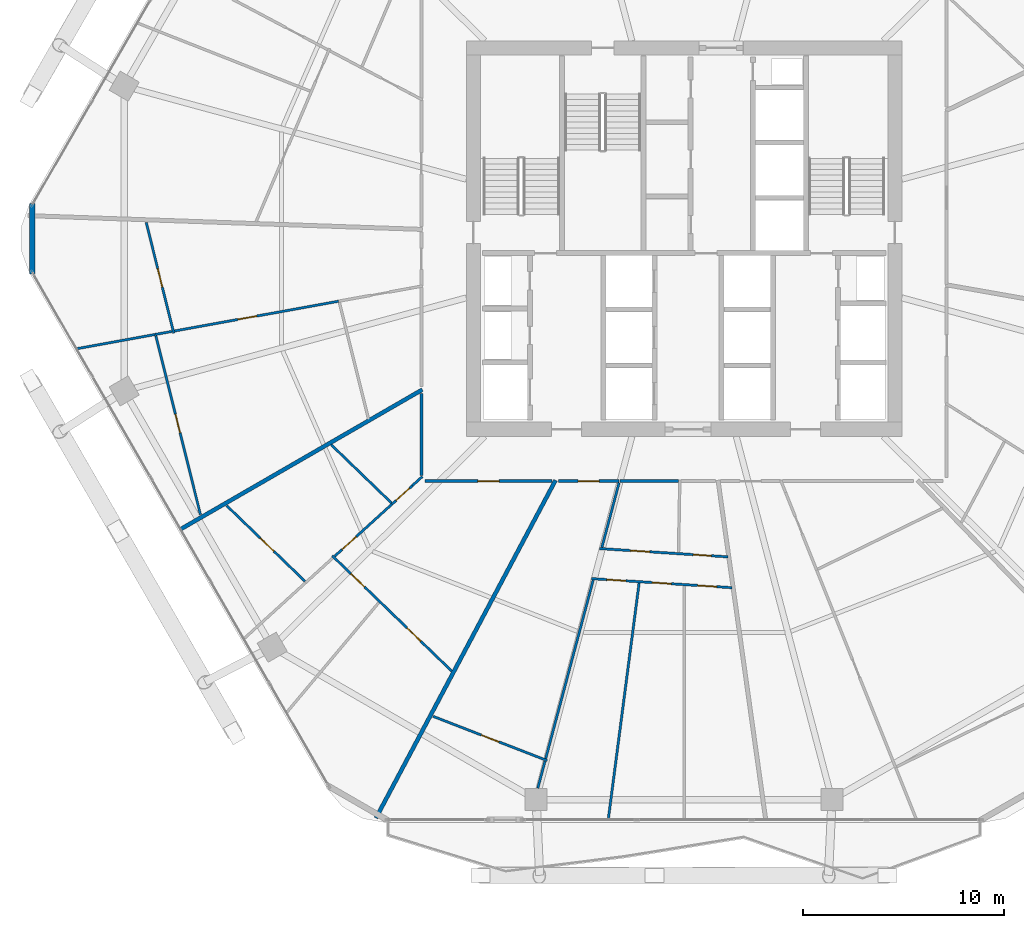
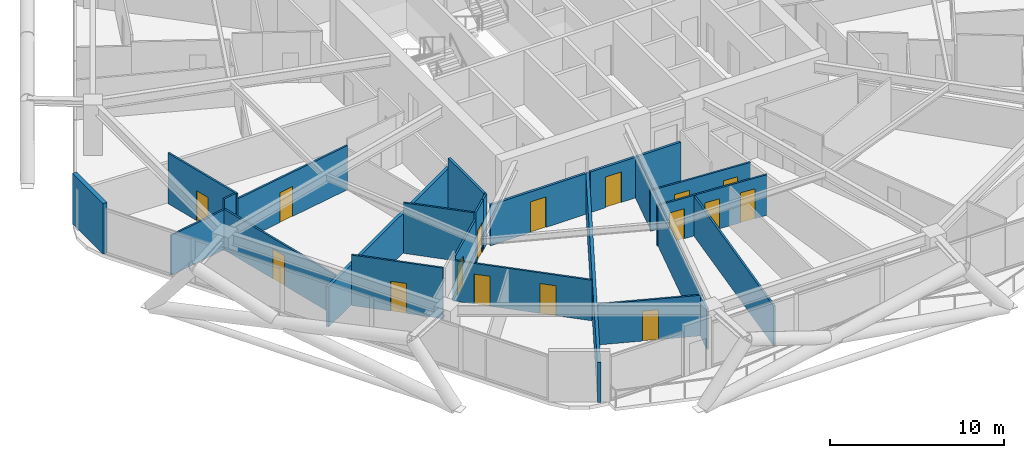
# One storey, part 27 of 35: 25 walls, 16 doors, 16 openings.
"""IFC4 building model written with IfcOpenShell, lengths in metres."""

from ifc_helpers import new_model, si_unit, direction, frame, frame_2d, origin, place, context, subcontext, project, spatial, rectangle, extrude, material, layer, layer_set, type_object, element, fill, save


model = new_model("IFC4")

# Units and contexts
model_context = context("Model", 3, precision=1e-05, world=origin(), true_north=direction((0.0, 1.0)))
body_context = subcontext(model_context, "Body", "Model", "MODEL_VIEW")
ifc_project = project(units=[si_unit("LENGTHUNIT", "METRE"), si_unit("AREAUNIT", "SQUARE_METRE"), si_unit("VOLUMEUNIT", "CUBIC_METRE"), si_unit("PLANEANGLEUNIT", "RADIAN"), si_unit("MASSUNIT", "GRAM", prefix="KILO")], contexts=[model_context])

# Site, building, storey
site_placement = place(None, origin())
site = spatial("IfcSite", under=ifc_project, at=site_placement, CompositionType="ELEMENT")
building_placement = place(site_placement, origin())
building = spatial("IfcBuilding", under=site, at=building_placement, Name="Zuhravey Tower", CompositionType="ELEMENT")
storey_placement = place(building_placement, frame((0.0, 0.0, 138.0)))
storey = spatial("IfcBuildingStorey", under=building, at=storey_placement, Name="L34", CompositionType="ELEMENT", Elevation=138.0)

# Wall, opening, door
ifc_material_1 = material(Name="Gypsum fire-rated stud partition")
ifc_layer_1 = layer(ifc_material_1, 0.159912109375)
ifc_layer_set_1 = layer_set([ifc_layer_1], Name="Gypsum fire-rated stud partition")
wall_type_1 = type_object("IfcWallType", Name="Corridor Fire Partition 160", PredefinedType="PARTITIONING", material=ifc_layer_set_1)
wall_1_placement = place(storey_placement, frame((23.10009765625, 19.919921875, 0.0), z_axis=(0.0, 0.0, 1.0), x_axis=(1.0, 0.0, 0.0)))
wall_1 = element("IfcWall", 1, at=wall_1_placement, inside=storey, type_object=wall_type_1, Name="L34 IW16 Partition 050", PredefinedType="PARTITIONING", context=body_context, shape_type="SweptSolid", body=[
    extrude(rectangle(XDim=6.318115234375, YDim=0.159912109375, at=frame_2d((3.1591796875, 0.0))), origin(), (0.0, 0.0, 1.0), 2.85009765625),
])
opening_1_placement = place(wall_1_placement, frame((2.634033203125, 0.0, 0.0)))
opening_1 = element("IfcOpeningElement", 2, at=opening_1_placement, cuts=wall_1, Name="Opening APD1", PredefinedType="OPENING", context=body_context, shape_type="SweptSolid", body=[
    extrude(rectangle(XDim=1.050048828125, YDim=2.14990234375, at=frame_2d((0.52490234375, 1.074951171875))), frame((0.0, 0.092041015625, 0.0), z_axis=(0.0, -1.0, 0.0), x_axis=(1.0, 0.0, 0.0)), (0.0, 0.0, 1.0), 0.183837890625),
])
ifc_material_2 = material(Name="Solid-core oak fire-rated leaf")
door_type_1 = type_object("IfcDoorType", Name="Apartment Entrance Fire Door 1050x2150", OperationType="NOTDEFINED", PredefinedType="DOOR", material=ifc_material_2)
door_1_placement = place(opening_1_placement, frame((1.050048828125, 0.0, 0.0), z_axis=(0.0, 0.0, 1.0), x_axis=(-1.0, 0.0, 0.0)))
door_1 = element("IfcDoor", 3, at=door_1_placement, inside=storey, type_object=door_type_1, Name="L34 Door 050.1", OperationType="SINGLE_SWING_LEFT", OverallHeight=2.14990234375, OverallWidth=1.050048828125, PredefinedType="DOOR", context=body_context, shape_type="SweptSolid", body=[
    extrude(rectangle(XDim=1.050048828125, YDim=2.14990234375, at=frame_2d((0.52490234375, 1.074951171875))), frame((0.0, 0.02490234375, 0.0), z_axis=(0.0, -1.0, 0.0), x_axis=(1.0, 0.0, 0.0)), (0.0, 0.0, 1.0), 0.050048828125),
])
fill(opening_1, door_1)

wall_2_placement = place(storey_placement, frame((29.734130859375, 19.919921875, 0.0), z_axis=(0.0, 0.0, 1.0), x_axis=(1.0, 0.0, 0.0)))
wall_2 = element("IfcWall", 4, at=wall_2_placement, inside=storey, type_object=wall_type_1, Name="L34 IW16 Partition 054", PredefinedType="PARTITIONING", context=body_context, shape_type="SweptSolid", body=[
    extrude(rectangle(XDim=3.031005859375, YDim=0.159912109375, at=frame_2d((1.515625, 0.0))), origin(), (0.0, 0.0, 1.0), 2.85009765625),
])
opening_2_placement = place(wall_2_placement, frame((0.990478515625, 0.0, 0.0)))
opening_2 = element("IfcOpeningElement", 5, at=opening_2_placement, cuts=wall_2, Name="Opening APD1", PredefinedType="OPENING", context=body_context, shape_type="SweptSolid", body=[
    extrude(rectangle(XDim=1.050048828125, YDim=2.14990234375, at=frame_2d((0.52490234375, 1.074951171875))), frame((0.0, 0.092041015625, 0.0), z_axis=(0.0, -1.0, 0.0), x_axis=(1.0, 0.0, 0.0)), (0.0, 0.0, 1.0), 0.183837890625),
])
door_2_placement = place(opening_2_placement, frame((1.050048828125, 0.0, 0.0), z_axis=(0.0, 0.0, 1.0), x_axis=(-1.0, 0.0, 0.0)))
door_2 = element("IfcDoor", 6, at=door_2_placement, inside=storey, type_object=door_type_1, Name="L34 Door 054.1", OperationType="SINGLE_SWING_RIGHT", OverallHeight=2.14990234375, OverallWidth=1.050048828125, PredefinedType="DOOR", context=body_context, shape_type="SweptSolid", body=[
    extrude(rectangle(XDim=1.050048828125, YDim=2.14990234375, at=frame_2d((0.52490234375, 1.074951171875))), frame((0.0, 0.02490234375, 0.0), z_axis=(0.0, -1.0, 0.0), x_axis=(1.0, 0.0, 0.0)), (0.0, 0.0, 1.0), 0.050048828125),
])
fill(opening_2, door_2)

# Walls
wall_3_placement = place(storey_placement, frame((22.919921875, 24.272216796875, 0.0), z_axis=(0.0, 0.0, 1.0), x_axis=(0.0, -1.0, 0.0)))
element("IfcWall", 7, at=wall_3_placement, inside=storey, type_object=wall_type_1, Name="L34 IW16 Partition 127", PredefinedType="PARTITIONING", context=body_context, shape_type="SweptSolid", body=[
    extrude(rectangle(XDim=4.0751953125, YDim=0.159912109375, at=frame_2d((2.03759765625, 0.0))), origin(), (0.0, 0.0, 1.0), 3.550048828125),
])
wall_4_placement = place(storey_placement, frame((32.806396484375, 19.919921875, 0.0), z_axis=(0.0, 0.0, 1.0), x_axis=(1.0, 0.0, 0.0)))
element("IfcWall", 8, at=wall_4_placement, inside=storey, type_object=wall_type_1, Name="L34 IW16 Partition 128", PredefinedType="PARTITIONING", context=body_context, shape_type="SweptSolid", body=[
    extrude(rectangle(XDim=2.912109375, YDim=0.159912109375, at=frame_2d((1.4560546875, 0.0))), origin(), (0.0, 0.0, 1.0), 2.85009765625),
])
ifc_material_3 = material(Name="Precast concrete C40/50", Category="concrete")
ifc_layer_2 = layer(ifc_material_3, 0.280029296875)
ifc_layer_set_2 = layer_set([ifc_layer_2], Name="Precast concrete C40/50")
wall_type_2 = type_object("IfcWallType", Name="Crown Architectural Wall 280", PredefinedType="SOLIDWALL", material=ifc_layer_set_2)
wall_5_placement = place(storey_placement, frame((3.521484375, 30.242431640625, 0.0), z_axis=(0.0, 0.0, 1.0), x_axis=(0.0, 1.0, 0.0)))
element("IfcWall", 9, at=wall_5_placement, inside=storey, type_object=wall_type_2, Name="L34 Rounded Corner Closure Wall EW28-06", PredefinedType="SOLIDWALL", context=body_context, shape_type="SweptSolid", body=[
    extrude(rectangle(XDim=3.51513671875, YDim=0.280029296875, at=frame_2d((1.757568359375, 0.0))), origin(), (0.0, 0.0, 1.0), 3.550048828125),
])
ifc_material_4 = material(Name="Gypsum double-stud party assembly")
ifc_layer_3 = layer(ifc_material_4, 0.199951171875)
ifc_layer_set_3 = layer_set([ifc_layer_3], Name="Gypsum double-stud party assembly")
wall_type_3 = type_object("IfcWallType", Name="Inter-Tenancy Party Wall 200", PredefinedType="PARTITIONING", material=ifc_layer_set_3)
wall_6_placement = place(storey_placement, frame((22.9599609375, 24.471435546875, 0.0), z_axis=(0.0, 0.0, 1.0), x_axis=(-0.866023267778, -0.500003699654, 0.0)))
element("IfcWall", 10, at=wall_6_placement, inside=storey, type_object=wall_type_3, Name="L34 IW20 Partition 098", PredefinedType="PARTITIONING", context=body_context, shape_type="SweptSolid", body=[
    extrude(rectangle(XDim=13.9013671875, YDim=0.199951171875, at=frame_2d((6.95068359375, 0.0))), origin(), (0.0, 0.0, 1.0), 2.800048828125),
])
wall_7_placement = place(storey_placement, frame((29.59814453125, 19.9599609375, 0.0), z_axis=(0.0, 0.0, 1.0), x_axis=(-0.469467427619, -0.882949791554, 0.0)))
element("IfcWall", 11, at=wall_7_placement, inside=storey, type_object=wall_type_3, Name="L34 IW20 Partition 103", PredefinedType="PARTITIONING", context=body_context, shape_type="SweptSolid", body=[
    extrude(rectangle(XDim=19.056884765625, YDim=0.199951171875, at=frame_2d((9.5283203125, 0.0))), origin(), (0.0, 0.0, 1.0), 2.800048828125),
])

# Wall, opening, door
ifc_material_5 = material(Name="Gypsum metal-stud partition")
ifc_layer_4 = layer(ifc_material_5, 0.1201171875)
ifc_layer_set_4 = layer_set([ifc_layer_4], Name="Gypsum metal-stud partition")
wall_type_4 = type_object("IfcWallType", Name="Unit Internal Partition 120", PredefinedType="PARTITIONING", material=ifc_layer_set_4)
wall_8_placement = place(storey_placement, frame((9.20654296875, 32.801513671875, 0.0), z_axis=(0.0, 0.0, 1.0), x_axis=(0.241898664781, -0.970301518074, 0.0)))
wall_8 = element("IfcWall", 12, at=wall_8_placement, inside=storey, type_object=wall_type_4, Name="L34 IW12 Partition 039", PredefinedType="PARTITIONING", context=body_context, shape_type="SweptSolid", body=[
    extrude(rectangle(XDim=5.68212890625, YDim=0.1201171875, at=frame_2d((2.841064453125, 0.0))), origin(), (0.0, 0.0, 1.0), 3.550048828125),
])
opening_3_placement = place(wall_8_placement, frame((2.3662109375, 0.0, 0.0)))
opening_3 = element("IfcOpeningElement", 13, at=opening_3_placement, cuts=wall_8, Name="Opening IND1", PredefinedType="OPENING", context=body_context, shape_type="SweptSolid", body=[
    extrude(rectangle(XDim=0.949951171875, YDim=2.10009765625, at=frame_2d((0.47509765625, 1.050048828125))), frame((0.0, 0.072021484375, 0.0), z_axis=(0.0, -1.0, 0.0), x_axis=(1.0, 0.0, 0.0)), (0.0, 0.0, 1.0), 0.14404296875),
])
ifc_material_6 = material(Name="Painted engineered timber leaf", Category="wood")
door_type_2 = type_object("IfcDoorType", Name="Internal Room & Bedroom Door 950x2100", OperationType="NOTDEFINED", PredefinedType="DOOR", material=ifc_material_6)
door_3_placement = place(opening_3_placement, frame((0.949951171875, 0.0, 0.0), z_axis=(0.0, 0.0, 1.0), x_axis=(-1.0, 0.0, 0.0)))
door_3 = element("IfcDoor", 14, at=door_3_placement, inside=storey, type_object=door_type_2, Name="Apartment L34-05 Family Study Door", OperationType="SINGLE_SWING_LEFT", OverallHeight=2.10009765625, OverallWidth=0.949951171875, PredefinedType="DOOR", context=body_context, shape_type="SweptSolid", body=[
    extrude(rectangle(XDim=0.949951171875, YDim=2.10009765625, at=frame_2d((0.47509765625, 1.050048828125))), frame((0.0, 0.02490234375, 0.0), z_axis=(0.0, -1.0, 0.0), x_axis=(1.0, 0.0, 0.0)), (0.0, 0.0, 1.0), 0.050048828125),
])
fill(opening_3, door_3)

wall_9_placement = place(storey_placement, frame((18.790283203125, 28.878662109375, 0.0), z_axis=(0.0, 0.0, 1.0), x_axis=(-0.983946535099, -0.17846348665, 0.0)))
wall_9 = element("IfcWall", 15, at=wall_9_placement, inside=storey, type_object=wall_type_4, Name="L34 IW12 Partition 041", PredefinedType="PARTITIONING", context=body_context, shape_type="SweptSolid", body=[
    extrude(rectangle(XDim=8.2998046875, YDim=0.1201171875, at=frame_2d((4.14990234375, 0.0))), origin(), (0.0, 0.0, 1.0), 3.10009765625),
])
opening_4_placement = place(wall_9_placement, frame((4.146484375, 0.0, 0.0)))
opening_4 = element("IfcOpeningElement", 16, at=opening_4_placement, cuts=wall_9, Name="Opening IND1", PredefinedType="OPENING", context=body_context, shape_type="SweptSolid", body=[
    extrude(rectangle(XDim=0.949951171875, YDim=2.10009765625, at=frame_2d((0.47509765625, 1.050048828125))), frame((0.0, 0.072021484375, 0.0), z_axis=(0.0, -1.0, 0.0), x_axis=(1.0, 0.0, 0.0)), (0.0, 0.0, 1.0), 0.14404296875),
])
door_4_placement = place(opening_4_placement, origin())
door_4 = element("IfcDoor", 17, at=door_4_placement, inside=storey, type_object=door_type_2, Name="Apartment L34-05 Home Office Door", OperationType="SINGLE_SWING_LEFT", OverallHeight=2.10009765625, OverallWidth=0.949951171875, PredefinedType="DOOR", context=body_context, shape_type="SweptSolid", body=[
    extrude(rectangle(XDim=0.949951171875, YDim=2.10009765625, at=frame_2d((0.47509765625, 1.050048828125))), frame((0.0, 0.02490234375, 0.0), z_axis=(0.0, -1.0, 0.0), x_axis=(1.0, 0.0, 0.0)), (0.0, 0.0, 1.0), 0.050048828125),
])
fill(opening_4, door_4)

# Wall
wall_10_placement = place(storey_placement, frame((10.48974609375, 27.373291015625, 0.0), z_axis=(0.0, 0.0, 1.0), x_axis=(-0.983920007509, -0.178609682892, 0.0)))
element("IfcWall", 18, at=wall_10_placement, inside=storey, type_object=wall_type_4, Name="L34 IW12 Partition 042", PredefinedType="PARTITIONING", context=body_context, shape_type="SweptSolid", body=[
    extrude(rectangle(XDim=0.85693359375, YDim=0.1201171875, at=frame_2d((0.428466796875, 0.0))), origin(), (0.0, 0.0, 1.0), 3.550048828125),
])

# Wall, opening, door
wall_11_placement = place(storey_placement, frame((9.6875, 27.158447265625, 0.0), z_axis=(0.0, 0.0, 1.0), x_axis=(0.241915844313, -0.970297235011, 0.0)))
wall_11 = element("IfcWall", 19, at=wall_11_placement, inside=storey, type_object=wall_type_4, Name="L34 IW12 Partition 043", PredefinedType="PARTITIONING", context=body_context, shape_type="SweptSolid", body=[
    extrude(rectangle(XDim=9.176513671875, YDim=0.1201171875, at=frame_2d((4.58837890625, 0.0))), origin(), (0.0, 0.0, 1.0), 2.85009765625),
])
opening_5_placement = place(wall_11_placement, frame((4.029296875, 0.0, 0.0)))
opening_5 = element("IfcOpeningElement", 20, at=opening_5_placement, cuts=wall_11, Name="Opening IND1", PredefinedType="OPENING", context=body_context, shape_type="SweptSolid", body=[
    extrude(rectangle(XDim=0.949951171875, YDim=2.10009765625, at=frame_2d((0.47509765625, 1.050048828125))), frame((0.0, 0.072021484375, 0.0), z_axis=(0.0, -1.0, 0.0), x_axis=(1.0, 0.0, 0.0)), (0.0, 0.0, 1.0), 0.14404296875),
])
door_5_placement = place(opening_5_placement, frame((0.949951171875, 0.0, 0.0), z_axis=(0.0, 0.0, 1.0), x_axis=(-1.0, 0.0, 0.0)))
door_5 = element("IfcDoor", 21, at=door_5_placement, inside=storey, type_object=door_type_2, Name="Apartment L34-05 Bedroom 1 Door", OperationType="SINGLE_SWING_RIGHT", OverallHeight=2.10009765625, OverallWidth=0.949951171875, PredefinedType="DOOR", context=body_context, shape_type="SweptSolid", body=[
    extrude(rectangle(XDim=0.949951171875, YDim=2.10009765625, at=frame_2d((0.47509765625, 1.050048828125))), frame((0.0, 0.02490234375, 0.0), z_axis=(0.0, -1.0, 0.0), x_axis=(1.0, 0.0, 0.0)), (0.0, 0.0, 1.0), 0.050048828125),
])
fill(opening_5, door_5)

# Wall, openings, doors
wall_12_placement = place(storey_placement, frame((18.47509765625, 16.199951171875, 0.0), z_axis=(0.0, 0.0, 1.0), x_axis=(0.719335270824, -0.694663060878, 0.0)))
wall_12 = element("IfcWall", 22, at=wall_12_placement, inside=storey, type_object=wall_type_4, Name="L34 IW12 Partition 045", PredefinedType="PARTITIONING", context=body_context, shape_type="SweptSolid", body=[
    extrude(rectangle(XDim=8.2626953125, YDim=0.1201171875, at=frame_2d((4.13134765625, 0.0))), origin(), (0.0, 0.0, 1.0), 2.85009765625),
])
opening_6_placement = place(wall_12_placement, frame((1.28759765625, 0.0, 0.0)))
opening_6 = element("IfcOpeningElement", 23, at=opening_6_placement, cuts=wall_12, Name="Opening IND1", PredefinedType="OPENING", context=body_context, shape_type="SweptSolid", body=[
    extrude(rectangle(XDim=0.949951171875, YDim=2.10009765625, at=frame_2d((0.47509765625, 1.050048828125))), frame((0.0, 0.072021484375, 0.0), z_axis=(0.0, -1.0, 0.0), x_axis=(1.0, 0.0, 0.0)), (0.0, 0.0, 1.0), 0.14404296875),
])
opening_7_placement = place(wall_12_placement, frame((5.1787109375, 0.0, 0.0)))
opening_7 = element("IfcOpeningElement", 24, at=opening_7_placement, cuts=wall_12, Name="Opening IND1", PredefinedType="OPENING", context=body_context, shape_type="SweptSolid", body=[
    extrude(rectangle(XDim=0.949951171875, YDim=2.10009765625, at=frame_2d((0.47509765625, 1.050048828125))), frame((0.0, 0.072021484375, 0.0), z_axis=(0.0, -1.0, 0.0), x_axis=(1.0, 0.0, 0.0)), (0.0, 0.0, 1.0), 0.14404296875),
])
door_6_placement = place(opening_6_placement, frame((0.949951171875, 0.0, 0.0), z_axis=(0.0, 0.0, 1.0), x_axis=(-1.0, 0.0, 0.0)))
door_6 = element("IfcDoor", 25, at=door_6_placement, inside=storey, type_object=door_type_2, Name="Apartment L34-06 Family Study Door", OperationType="SINGLE_SWING_RIGHT", OverallHeight=2.10009765625, OverallWidth=0.949951171875, PredefinedType="DOOR", context=body_context, shape_type="SweptSolid", body=[
    extrude(rectangle(XDim=0.949951171875, YDim=2.10009765625, at=frame_2d((0.47509765625, 1.050048828125))), frame((0.0, 0.02490234375, 0.0), z_axis=(0.0, -1.0, 0.0), x_axis=(1.0, 0.0, 0.0)), (0.0, 0.0, 1.0), 0.050048828125),
])
fill(opening_6, door_6)
door_7_placement = place(opening_7_placement, frame((0.949951171875, 0.0, 0.0), z_axis=(0.0, 0.0, 1.0), x_axis=(-1.0, 0.0, 0.0)))
door_7 = element("IfcDoor", 26, at=door_7_placement, inside=storey, type_object=door_type_2, Name="Apartment L34-06 Dining Room Door", OperationType="SINGLE_SWING_LEFT", OverallHeight=2.10009765625, OverallWidth=0.949951171875, PredefinedType="DOOR", context=body_context, shape_type="SweptSolid", body=[
    extrude(rectangle(XDim=0.949951171875, YDim=2.10009765625, at=frame_2d((0.47509765625, 1.050048828125))), frame((0.0, 0.02490234375, 0.0), z_axis=(0.0, -1.0, 0.0), x_axis=(1.0, 0.0, 0.0)), (0.0, 0.0, 1.0), 0.050048828125),
])
fill(opening_7, door_7)

# Wall, opening, door
wall_13_placement = place(storey_placement, frame((22.46875, 19.696044921875, 0.0), z_axis=(0.0, 0.0, 1.0), x_axis=(-0.739835725611, -0.672787558677, 0.0)))
wall_13 = element("IfcWall", 27, at=wall_13_placement, inside=storey, type_object=wall_type_4, Name="L34 IW12 Partition 046", PredefinedType="PARTITIONING", context=body_context, shape_type="SweptSolid", body=[
    extrude(rectangle(XDim=1.37646484375, YDim=0.1201171875, at=frame_2d((0.688232421875, 0.0))), origin(), (0.0, 0.0, 1.0), 3.550048828125),
])
opening_8_placement = place(wall_13_placement, frame((0.199951171875, 0.0, 0.0)))
opening_8 = element("IfcOpeningElement", 28, at=opening_8_placement, cuts=wall_13, Name="Opening WCD1", PredefinedType="OPENING", context=body_context, shape_type="SweptSolid", body=[
    extrude(rectangle(XDim=0.89990234375, YDim=2.10009765625, at=frame_2d((0.449951171875, 1.050048828125))), frame((0.0, 0.072021484375, 0.0), z_axis=(0.0, -1.0, 0.0), x_axis=(1.0, 0.0, 0.0)), (0.0, 0.0, 1.0), 0.14404296875),
])
ifc_material_7 = material(Name="Moisture-resistant timber leaf", Category="wood")
door_type_3 = type_object("IfcDoorType", Name="Bathroom & WC Internal Door 900x2100", OperationType="NOTDEFINED", PredefinedType="DOOR", material=ifc_material_7)
door_8_placement = place(opening_8_placement, frame((0.89990234375, 0.0, 0.0), z_axis=(0.0, 0.0, 1.0), x_axis=(-1.0, 0.0, 0.0)))
door_8 = element("IfcDoor", 29, at=door_8_placement, inside=storey, type_object=door_type_3, Name="Apartment L34-06 Bathroom Door", OperationType="SINGLE_SWING_RIGHT", OverallHeight=2.10009765625, OverallWidth=0.89990234375, PredefinedType="DOOR", context=body_context, shape_type="SweptSolid", body=[
    extrude(rectangle(XDim=0.89990234375, YDim=2.10009765625, at=frame_2d((0.449951171875, 1.050048828125))), frame((0.0, 0.02490234375, 0.0), z_axis=(0.0, -1.0, 0.0), x_axis=(1.0, 0.0, 0.0)), (0.0, 0.0, 1.0), 0.050048828125),
])
fill(opening_8, door_8)

wall_14_placement = place(storey_placement, frame((21.450439453125, 18.77001953125, 0.0), z_axis=(0.0, 0.0, 1.0), x_axis=(-0.739899959551, -0.672716916583, 0.0)))
wall_14 = element("IfcWall", 30, at=wall_14_placement, inside=storey, type_object=wall_type_4, Name="L34 IW12 Partition 047", PredefinedType="PARTITIONING", context=body_context, shape_type="SweptSolid", body=[
    extrude(rectangle(XDim=3.855712890625, YDim=0.1201171875, at=frame_2d((1.927734375, 0.0))), origin(), (0.0, 0.0, 1.0), 3.10009765625),
])
opening_9_placement = place(wall_14_placement, frame((2.40576171875, 0.0, 0.0)))
opening_9 = element("IfcOpeningElement", 31, at=opening_9_placement, cuts=wall_14, Name="Opening IND1", PredefinedType="OPENING", context=body_context, shape_type="SweptSolid", body=[
    extrude(rectangle(XDim=0.949951171875, YDim=2.10009765625, at=frame_2d((0.47509765625, 1.050048828125))), frame((0.0, 0.072021484375, 0.0), z_axis=(0.0, -1.0, 0.0), x_axis=(1.0, 0.0, 0.0)), (0.0, 0.0, 1.0), 0.14404296875),
])
door_9_placement = place(opening_9_placement, frame((0.949951171875, 0.0, 0.0), z_axis=(0.0, 0.0, 1.0), x_axis=(-1.0, 0.0, 0.0)))
door_9 = element("IfcDoor", 32, at=door_9_placement, inside=storey, type_object=door_type_2, Name="Apartment L34-06 Home Office Door", OperationType="SINGLE_SWING_LEFT", OverallHeight=2.10009765625, OverallWidth=0.949951171875, PredefinedType="DOOR", context=body_context, shape_type="SweptSolid", body=[
    extrude(rectangle(XDim=0.949951171875, YDim=2.10009765625, at=frame_2d((0.47509765625, 1.050048828125))), frame((0.0, 0.02490234375, 0.0), z_axis=(0.0, -1.0, 0.0), x_axis=(1.0, 0.0, 0.0)), (0.0, 0.0, 1.0), 0.050048828125),
])
fill(opening_9, door_9)

wall_15_placement = place(storey_placement, frame((13.2158203125, 18.695068359375, 0.0), z_axis=(0.0, 0.0, 1.0), x_axis=(0.71932395173, -0.694674781799, 0.0)))
wall_15 = element("IfcWall", 33, at=wall_15_placement, inside=storey, type_object=wall_type_4, Name="L34 IW12 Partition 049", PredefinedType="PARTITIONING", context=body_context, shape_type="SweptSolid", body=[
    extrude(rectangle(XDim=5.427734375, YDim=0.1201171875, at=frame_2d((2.7138671875, 0.0))), origin(), (0.0, 0.0, 1.0), 3.550048828125),
])
opening_10_placement = place(wall_15_placement, frame((2.322998046875, 0.0, 0.0)))
opening_10 = element("IfcOpeningElement", 34, at=opening_10_placement, cuts=wall_15, Name="Opening IND1", PredefinedType="OPENING", context=body_context, shape_type="SweptSolid", body=[
    extrude(rectangle(XDim=0.949951171875, YDim=2.10009765625, at=frame_2d((0.47509765625, 1.050048828125))), frame((0.0, 0.072021484375, 0.0), z_axis=(0.0, -1.0, 0.0), x_axis=(1.0, 0.0, 0.0)), (0.0, 0.0, 1.0), 0.14404296875),
])
door_10_placement = place(opening_10_placement, frame((0.949951171875, 0.0, 0.0), z_axis=(0.0, 0.0, 1.0), x_axis=(-1.0, 0.0, 0.0)))
door_10 = element("IfcDoor", 35, at=door_10_placement, inside=storey, type_object=door_type_2, Name="Apartment L34-06 Bedroom 1 Door", OperationType="SINGLE_SWING_RIGHT", OverallHeight=2.10009765625, OverallWidth=0.949951171875, PredefinedType="DOOR", context=body_context, shape_type="SweptSolid", body=[
    extrude(rectangle(XDim=0.949951171875, YDim=2.10009765625, at=frame_2d((0.47509765625, 1.050048828125))), frame((0.0, 0.02490234375, 0.0), z_axis=(0.0, -1.0, 0.0), x_axis=(1.0, 0.0, 0.0)), (0.0, 0.0, 1.0), 0.050048828125),
])
fill(opening_10, door_10)

wall_16_placement = place(storey_placement, frame((23.49755859375, 8.199462890625, 0.0), z_axis=(0.0, 0.0, 1.0), x_axis=(0.932323578893, -0.361625143262, 0.0)))
wall_16 = element("IfcWall", 36, at=wall_16_placement, inside=storey, type_object=wall_type_4, Name="L34 IW12 Partition 051", PredefinedType="PARTITIONING", context=body_context, shape_type="SweptSolid", body=[
    extrude(rectangle(XDim=6.09912109375, YDim=0.1201171875, at=frame_2d((3.049560546875, 0.0))), origin(), (0.0, 0.0, 1.0), 2.85009765625),
])
opening_11_placement = place(wall_16_placement, frame((2.574462890625, 0.0, 0.0)))
opening_11 = element("IfcOpeningElement", 37, at=opening_11_placement, cuts=wall_16, Name="Opening IND1", PredefinedType="OPENING", context=body_context, shape_type="SweptSolid", body=[
    extrude(rectangle(XDim=0.949951171875, YDim=2.10009765625, at=frame_2d((0.47509765625, 1.050048828125))), frame((0.0, 0.072021484375, 0.0), z_axis=(0.0, -1.0, 0.0), x_axis=(1.0, 0.0, 0.0)), (0.0, 0.0, 1.0), 0.14404296875),
])
door_11_placement = place(opening_11_placement, frame((0.949951171875, 0.0, 0.0), z_axis=(0.0, 0.0, 1.0), x_axis=(-1.0, 0.0, 0.0)))
door_11 = element("IfcDoor", 38, at=door_11_placement, inside=storey, type_object=door_type_2, Name="Apartment L34-07 Family Study Door", OperationType="SINGLE_SWING_RIGHT", OverallHeight=2.10009765625, OverallWidth=0.949951171875, PredefinedType="DOOR", context=body_context, shape_type="SweptSolid", body=[
    extrude(rectangle(XDim=0.949951171875, YDim=2.10009765625, at=frame_2d((0.47509765625, 1.050048828125))), frame((0.0, 0.02490234375, 0.0), z_axis=(0.0, -1.0, 0.0), x_axis=(1.0, 0.0, 0.0)), (0.0, 0.0, 1.0), 0.050048828125),
])
fill(opening_11, door_11)

# Wall, openings, doors
wall_17_placement = place(storey_placement, frame((31.78759765625, 16.55712890625, 0.0), z_axis=(0.0, 0.0, 1.0), x_axis=(0.997916701545, -0.064515554547, 0.0)))
wall_17 = element("IfcWall", 39, at=wall_17_placement, inside=storey, type_object=wall_type_4, Name="L34 IW12 Partition 052", PredefinedType="PARTITIONING", context=body_context, shape_type="SweptSolid", body=[
    extrude(rectangle(XDim=6.414306640625, YDim=0.1201171875, at=frame_2d((3.20703125, 0.0))), origin(), (0.0, 0.0, 1.0), 2.85009765625),
])
opening_12_placement = place(wall_17_placement, frame((1.547607421875, 0.0, 0.0)))
opening_12 = element("IfcOpeningElement", 40, at=opening_12_placement, cuts=wall_17, Name="Opening IND1", PredefinedType="OPENING", context=body_context, shape_type="SweptSolid", body=[
    extrude(rectangle(XDim=0.949951171875, YDim=2.10009765625, at=frame_2d((0.47509765625, 1.050048828125))), frame((0.0, 0.072021484375, 0.0), z_axis=(0.0, -1.0, 0.0), x_axis=(1.0, 0.0, 0.0)), (0.0, 0.0, 1.0), 0.14404296875),
])
opening_13_placement = place(wall_17_placement, frame((4.677734375, 0.0, 0.0)))
opening_13 = element("IfcOpeningElement", 41, at=opening_13_placement, cuts=wall_17, Name="Opening WCD1", PredefinedType="OPENING", context=body_context, shape_type="SweptSolid", body=[
    extrude(rectangle(XDim=0.89990234375, YDim=2.10009765625, at=frame_2d((0.449951171875, 1.050048828125))), frame((0.0, 0.072021484375, 0.0), z_axis=(0.0, -1.0, 0.0), x_axis=(1.0, 0.0, 0.0)), (0.0, 0.0, 1.0), 0.14404296875),
])
door_12_placement = place(opening_13_placement, origin())
door_12 = element("IfcDoor", 42, at=door_12_placement, inside=storey, type_object=door_type_3, Name="Apartment L34-07 Bathroom Door", OperationType="SINGLE_SWING_RIGHT", OverallHeight=2.10009765625, OverallWidth=0.89990234375, PredefinedType="DOOR", context=body_context, shape_type="SweptSolid", body=[
    extrude(rectangle(XDim=0.89990234375, YDim=2.10009765625, at=frame_2d((0.449951171875, 1.050048828125))), frame((0.0, 0.02490234375, 0.0), z_axis=(0.0, -1.0, 0.0), x_axis=(1.0, 0.0, 0.0)), (0.0, 0.0, 1.0), 0.050048828125),
])
fill(opening_13, door_12)
door_13_placement = place(opening_12_placement, origin())
door_13 = element("IfcDoor", 43, at=door_13_placement, inside=storey, type_object=door_type_2, Name="Apartment L34-07 Kitchen Door", OperationType="SINGLE_SWING_LEFT", OverallHeight=2.10009765625, OverallWidth=0.949951171875, PredefinedType="DOOR", context=body_context, shape_type="SweptSolid", body=[
    extrude(rectangle(XDim=0.949951171875, YDim=2.10009765625, at=frame_2d((0.47509765625, 1.050048828125))), frame((0.0, 0.02490234375, 0.0), z_axis=(0.0, -1.0, 0.0), x_axis=(1.0, 0.0, 0.0)), (0.0, 0.0, 1.0), 0.050048828125),
])
fill(opening_12, door_13)

wall_18_placement = place(storey_placement, frame((31.38916015625, 15.059814453125, 0.0), z_axis=(0.0, 0.0, 1.0), x_axis=(0.997916790239, -0.064514182617, 0.0)))
wall_18 = element("IfcWall", 44, at=wall_18_placement, inside=storey, type_object=wall_type_4, Name="L34 IW12 Partition 053", PredefinedType="PARTITIONING", context=body_context, shape_type="SweptSolid", body=[
    extrude(rectangle(XDim=7.01611328125, YDim=0.1201171875, at=frame_2d((3.508056640625, 0.0))), origin(), (0.0, 0.0, 1.0), 2.85009765625),
])
opening_14_placement = place(wall_18_placement, frame((0.767822265625, 0.0, 0.0)))
opening_14 = element("IfcOpeningElement", 45, at=opening_14_placement, cuts=wall_18, Name="Opening IND1", PredefinedType="OPENING", context=body_context, shape_type="SweptSolid", body=[
    extrude(rectangle(XDim=0.949951171875, YDim=2.10009765625, at=frame_2d((0.47509765625, 1.050048828125))), frame((0.0, 0.072021484375, 0.0), z_axis=(0.0, -1.0, 0.0), x_axis=(1.0, 0.0, 0.0)), (0.0, 0.0, 1.0), 0.14404296875),
])
opening_15_placement = place(wall_18_placement, frame((3.033203125, 0.0, 0.0)))
opening_15 = element("IfcOpeningElement", 46, at=opening_15_placement, cuts=wall_18, Name="Opening IND1", PredefinedType="OPENING", context=body_context, shape_type="SweptSolid", body=[
    extrude(rectangle(XDim=0.949951171875, YDim=2.10009765625, at=frame_2d((0.47509765625, 1.050048828125))), frame((0.0, 0.072021484375, 0.0), z_axis=(0.0, -1.0, 0.0), x_axis=(1.0, 0.0, 0.0)), (0.0, 0.0, 1.0), 0.14404296875),
])
opening_16_placement = place(wall_18_placement, frame((5.29833984375, 0.0, 0.0)))
opening_16 = element("IfcOpeningElement", 47, at=opening_16_placement, cuts=wall_18, Name="Opening IND1", PredefinedType="OPENING", context=body_context, shape_type="SweptSolid", body=[
    extrude(rectangle(XDim=0.949951171875, YDim=2.10009765625, at=frame_2d((0.47509765625, 1.050048828125))), frame((0.0, 0.072021484375, 0.0), z_axis=(0.0, -1.0, 0.0), x_axis=(1.0, 0.0, 0.0)), (0.0, 0.0, 1.0), 0.14404296875),
])
door_14_placement = place(opening_14_placement, frame((0.949951171875, 0.0, 0.0), z_axis=(0.0, 0.0, 1.0), x_axis=(-1.0, 0.0, 0.0)))
door_14 = element("IfcDoor", 48, at=door_14_placement, inside=storey, type_object=door_type_2, Name="Apartment L34-07 Bedroom 1 Door", OperationType="SINGLE_SWING_LEFT", OverallHeight=2.10009765625, OverallWidth=0.949951171875, PredefinedType="DOOR", context=body_context, shape_type="SweptSolid", body=[
    extrude(rectangle(XDim=0.949951171875, YDim=2.10009765625, at=frame_2d((0.47509765625, 1.050048828125))), frame((0.0, 0.02490234375, 0.0), z_axis=(0.0, -1.0, 0.0), x_axis=(1.0, 0.0, 0.0)), (0.0, 0.0, 1.0), 0.050048828125),
])
fill(opening_14, door_14)
door_15_placement = place(opening_15_placement, frame((0.949951171875, 0.0, 0.0), z_axis=(0.0, 0.0, 1.0), x_axis=(-1.0, 0.0, 0.0)))
door_15 = element("IfcDoor", 49, at=door_15_placement, inside=storey, type_object=door_type_2, Name="Apartment L34-07 Bedroom 2 Door", OperationType="SINGLE_SWING_RIGHT", OverallHeight=2.10009765625, OverallWidth=0.949951171875, PredefinedType="DOOR", context=body_context, shape_type="SweptSolid", body=[
    extrude(rectangle(XDim=0.949951171875, YDim=2.10009765625, at=frame_2d((0.47509765625, 1.050048828125))), frame((0.0, 0.02490234375, 0.0), z_axis=(0.0, -1.0, 0.0), x_axis=(1.0, 0.0, 0.0)), (0.0, 0.0, 1.0), 0.050048828125),
])
fill(opening_15, door_15)
door_16_placement = place(opening_16_placement, frame((0.949951171875, 0.0, 0.0), z_axis=(0.0, 0.0, 1.0), x_axis=(-1.0, 0.0, 0.0)))
door_16 = element("IfcDoor", 50, at=door_16_placement, inside=storey, type_object=door_type_2, Name="Apartment L34-07 Bedroom 3 Door", OperationType="SINGLE_SWING_LEFT", OverallHeight=2.10009765625, OverallWidth=0.949951171875, PredefinedType="DOOR", context=body_context, shape_type="SweptSolid", body=[
    extrude(rectangle(XDim=0.949951171875, YDim=2.10009765625, at=frame_2d((0.47509765625, 1.050048828125))), frame((0.0, 0.02490234375, 0.0), z_axis=(0.0, -1.0, 0.0), x_axis=(1.0, 0.0, 0.0)), (0.0, 0.0, 1.0), 0.050048828125),
])
fill(opening_16, door_16)

# Walls
wall_19_placement = place(storey_placement, frame((9.646484375, 27.22021484375, 0.0), z_axis=(0.0, 0.0, 1.0), x_axis=(-0.98395121162, -0.178437701036, 0.0)))
element("IfcWall", 51, at=wall_19_placement, inside=storey, type_object=wall_type_4, Name="L34 IW12 Partition 096", PredefinedType="PARTITIONING", context=body_context, shape_type="SweptSolid", body=[
    extrude(rectangle(XDim=3.98291015625, YDim=0.1201171875, at=frame_2d((1.991455078125, 0.0))), origin(), (0.0, 0.0, 1.0), 2.800048828125),
])
wall_20_placement = place(storey_placement, frame((22.965087890625, 20.1474609375, 0.0), z_axis=(0.0, 0.0, 1.0), x_axis=(-0.739791864243, -0.67283578799, 0.0)))
element("IfcWall", 52, at=wall_20_placement, inside=storey, type_object=wall_type_4, Name="L34 IW12 Partition 100", PredefinedType="PARTITIONING", context=body_context, shape_type="SweptSolid", body=[
    extrude(rectangle(XDim=0.6708984375, YDim=0.1201171875, at=frame_2d((0.33544921875, 0.0))), origin(), (0.0, 0.0, 1.0), 3.550048828125),
])
wall_21_placement = place(storey_placement, frame((18.423583984375, 21.727783203125, 0.0), z_axis=(0.0, 0.0, 1.0), x_axis=(0.719336822734, -0.694661453845, 0.0)))
element("IfcWall", 53, at=wall_21_placement, inside=storey, type_object=wall_type_4, Name="L34 IW12 Partition 102", PredefinedType="PARTITIONING", context=body_context, shape_type="SweptSolid", body=[
    extrude(rectangle(XDim=4.16552734375, YDim=0.1201171875, at=frame_2d((2.082763671875, 0.0))), origin(), (0.0, 0.0, 1.0), 3.550048828125),
])
wall_22_placement = place(storey_placement, frame((33.760986328125, 14.83837890625, 0.0), z_axis=(0.0, 0.0, 1.0), x_axis=(-0.129380382559, -0.9915950366, 0.0)))
element("IfcWall", 54, at=wall_22_placement, inside=storey, type_object=wall_type_4, Name="L34 IW12 Partition 105", PredefinedType="PARTITIONING", context=body_context, shape_type="SweptSolid", body=[
    extrude(rectangle(XDim=11.906982421875, YDim=0.1201171875, at=frame_2d((5.95361328125, 0.0))), origin(), (0.0, 0.0, 1.0), 2.800048828125),
])
wall_23_placement = place(storey_placement, frame((32.762451171875, 19.83203125, 0.0), z_axis=(0.0, 0.0, 1.0), x_axis=(-0.257187510329, -0.966361518548, 0.0)))
element("IfcWall", 55, at=wall_23_placement, inside=storey, type_object=wall_type_4, Name="L34 IW12 Partition 107", PredefinedType="PARTITIONING", context=body_context, shape_type="SweptSolid", body=[
    extrude(rectangle(XDim=3.326171875, YDim=0.1201171875, at=frame_2d((1.6630859375, 0.0))), origin(), (0.0, 0.0, 1.0), 2.85009765625),
])
wall_24_placement = place(storey_placement, frame((31.472900390625, 14.986083984375, 0.0), z_axis=(0.0, 0.0, 1.0), x_axis=(-0.257120794916, -0.966379271726, 0.0)))
element("IfcWall", 56, at=wall_24_placement, inside=storey, type_object=wall_type_4, Name="L34 IW12 Partition 108", PredefinedType="PARTITIONING", context=body_context, shape_type="SweptSolid", body=[
    extrude(rectangle(XDim=9.198974609375, YDim=0.1201171875, at=frame_2d((4.599609375, 0.0))), origin(), (0.0, 0.0, 1.0), 2.85009765625),
])
wall_25_placement = place(storey_placement, frame((29.072509765625, 5.964111328125, 0.0), z_axis=(0.0, 0.0, 1.0), x_axis=(-0.257268877058, -0.966339859934, 0.0)))
element("IfcWall", 57, at=wall_25_placement, inside=storey, type_object=wall_type_4, Name="L34 IW12 Partition 109", PredefinedType="PARTITIONING", context=body_context, shape_type="SweptSolid", body=[
    extrude(rectangle(XDim=1.389404296875, YDim=0.1201171875, at=frame_2d((0.69482421875, 0.0))), origin(), (0.0, 0.0, 1.0), 2.85009765625),
])

save(model, "model.ifc")
